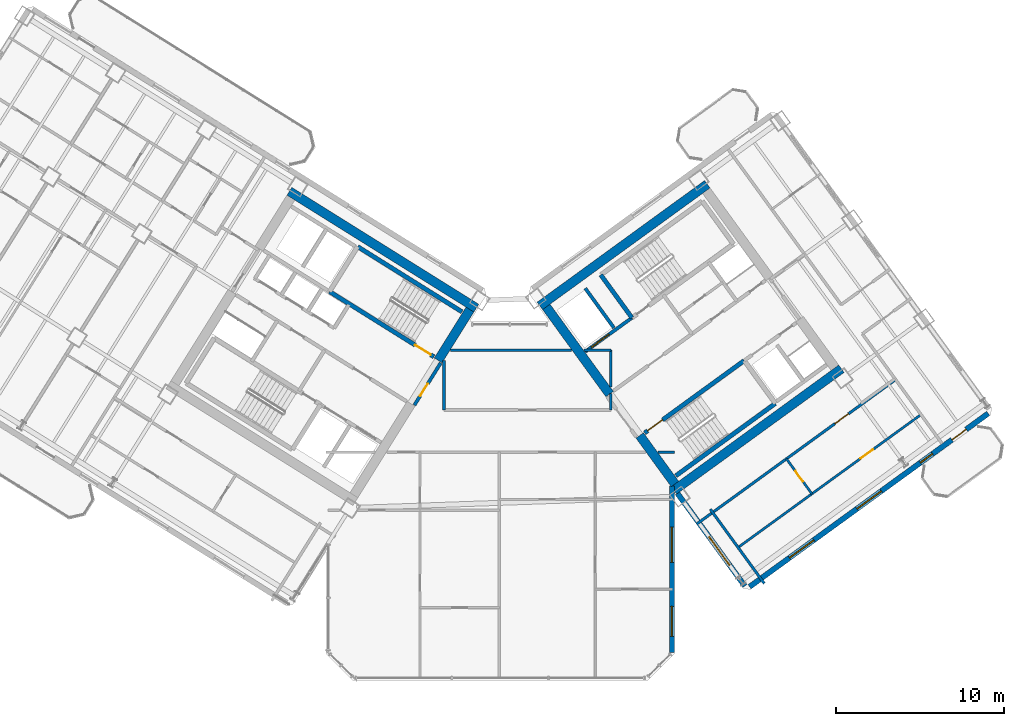
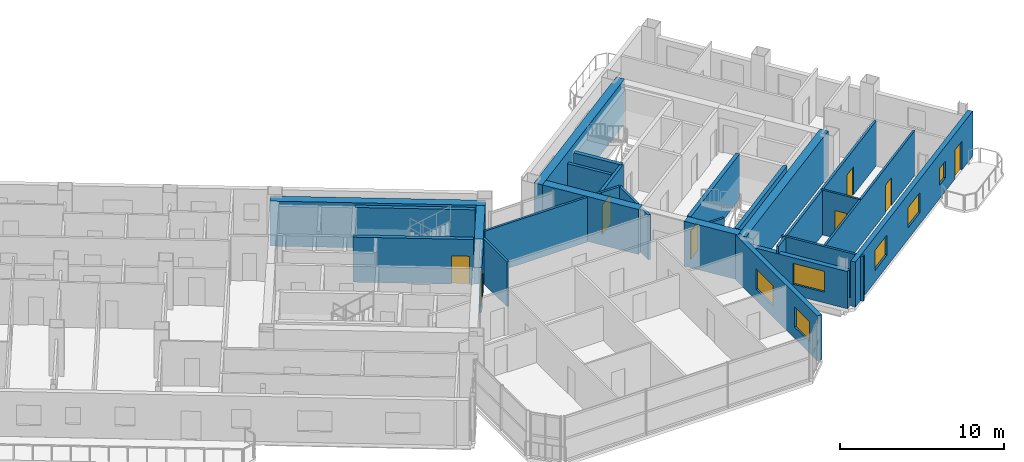
# One storey, part 19 of 25: 27 walls, 8 doors, 6 windows, 14 openings.
"""IFC4 building model written with IfcOpenShell, lengths in metres."""

from ifc_helpers import new_model, si_unit, direction, frame, frame_2d, origin, place, context, subcontext, project, spatial, rectangle, extrude, source, transform, mapped, material, layer, layer_set, type_object, element, fill, save


model = new_model("IFC4")

# Units and contexts
model_context = context("Model", 3, precision=1e-05, world=origin(), true_north=direction((0.0, 1.0)))
body_context = subcontext(model_context, "Body", "Model", "MODEL_VIEW")
ifc_project = project(units=[si_unit("LENGTHUNIT", "METRE"), si_unit("AREAUNIT", "SQUARE_METRE"), si_unit("VOLUMEUNIT", "CUBIC_METRE"), si_unit("PLANEANGLEUNIT", "RADIAN"), si_unit("MASSUNIT", "GRAM", prefix="KILO")], contexts=[model_context])

# Site, building, storey
site_placement = place(None, origin())
site = spatial("IfcSite", under=ifc_project, at=site_placement, CompositionType="ELEMENT")
building_placement = place(site_placement, origin())
building = spatial("IfcBuilding", under=site, at=building_placement, Name="Tlacorven Tower", CompositionType="ELEMENT")
storey_placement = place(building_placement, frame((0.0, 0.0, 162.300048828125)))
storey = spatial("IfcBuildingStorey", under=building, at=storey_placement, Name="L41", CompositionType="ELEMENT", Elevation=162.300048828125)

# Walls
ifc_material_1 = material(Name="Concrete C60/75", Category="concrete")
ifc_layer_1 = layer(ifc_material_1, 0.550048828125)
ifc_layer_set_1 = layer_set([ifc_layer_1], Name="Concrete C60/75")
wall_type_1 = type_object("IfcWallType", Name="WL-COR-550", PredefinedType="SHEAR", material=ifc_layer_set_1)
wall_1_placement = place(storey_placement, frame((40.572998046875, 24.010009765625, 0.0), z_axis=(0.0, 0.0, 1.0), x_axis=(-0.848047359947, 0.529920442413, 0.0)))
element("IfcWall", 1, at=wall_1_placement, inside=storey, type_object=wall_type_1, Name="L41 W core shear wall S1", PredefinedType="SHEAR", context=body_context, shape_type="SweptSolid", body=[
    extrude(rectangle(XDim=13.139892578125, YDim=0.550048828125, at=frame_2d((6.56982421875, 0.0))), origin(), (0.0, 0.0, 1.0), 3.349853515625),
])
wall_2_placement = place(storey_placement, frame((40.194091796875, 23.92236328125, 0.0), z_axis=(0.0, 0.0, 1.0), x_axis=(-0.529888438328, -0.848067357541, 0.0)))
element("IfcWall", 2, at=wall_2_placement, inside=storey, type_object=wall_type_1, Name="L41 W core end wall E1.1", PredefinedType="SHEAR", context=body_context, shape_type="SweptSolid", body=[
    extrude(rectangle(XDim=3.574951171875, YDim=0.550048828125, at=frame_2d((1.78759765625, 0.0))), origin(), (0.0, 0.0, 1.0), 3.349853515625),
])
for number, where, z_axis, x_axis, name in (
    (3, (52.35888671875, 13.1396484375, 0.0), (0.0, 0.0, 1.0), (0.809014896919, 0.587788139183, 0.0), "L41 E core shear wall S1"),
    (4, (44.364990234375, 24.142333984375, 0.0), (0.0, 0.0, 1.0), (0.809024304885, 0.587775190107, 0.0), "L41 E core shear wall S2"),
):
    element("IfcWall", number, at=place(storey_placement, frame(where, z_axis=z_axis, x_axis=x_axis)), inside=storey, type_object=wall_type_1, Name=name, PredefinedType="SHEAR", context=body_context, shape_type="SweptSolid", body=[
        extrude(rectangle(XDim=12.340087890625, YDim=0.550048828125, at=frame_2d((6.169921875, 0.0))), origin(), (0.0, 0.0, 1.0), 3.349853515625),
    ])
wall_3_placement = place(storey_placement, frame((52.419677734375, 13.52392578125, 0.0), z_axis=(0.0, 0.0, 1.0), x_axis=(-0.587802113096, 0.809004744015, 0.0)))
element("IfcWall", 5, at=wall_3_placement, inside=storey, type_object=wall_type_1, Name="L41 E core end wall E1.1", PredefinedType="SHEAR", context=body_context, shape_type="SweptSolid", body=[
    extrude(rectangle(XDim=3.574951171875, YDim=0.550048828125, at=frame_2d((1.78759765625, 0.0))), origin(), (0.0, 0.0, 1.0), 3.349853515625),
])
wall_4_placement = place(storey_placement, frame((48.525634765625, 18.883544921875, 0.0), z_axis=(0.0, 0.0, 1.0), x_axis=(-0.587764933797, 0.809031756236, 0.0)))
element("IfcWall", 6, at=wall_4_placement, inside=storey, type_object=wall_type_1, Name="L41 E core end wall E1.2", PredefinedType="SHEAR", context=body_context, shape_type="SweptSolid", body=[
    extrude(rectangle(XDim=6.425048828125, YDim=0.550048828125, at=frame_2d((3.21240234375, 0.0))), origin(), (0.0, 0.0, 1.0), 3.349853515625),
])
ifc_material_2 = material(Name="Gypsum plasterboard acoustic partition", Category="gypsum")
ifc_layer_2 = layer(ifc_material_2, 0.159912109375)
ifc_layer_set_2 = layer_set([ifc_layer_2], Name="Gypsum plasterboard acoustic partition")
wall_type_2 = type_object("IfcWallType", Name="WL-DEM-160", PredefinedType="PARTITIONING", material=ifc_layer_set_2)
wall_5_placement = place(storey_placement, frame((51.41552734375, 15.419921875, 0.0), z_axis=(0.0, 0.0, 1.0), x_axis=(1.0, 0.0, 0.0)))
element("IfcWall", 7, at=wall_5_placement, inside=storey, type_object=wall_type_2, Name="L41 Knuckle Corridor South Wall", PredefinedType="PARTITIONING", context=body_context, shape_type="SweptSolid", body=[
    extrude(rectangle(XDim=0.984375, YDim=0.159912109375, at=frame_2d((0.4921875, 0.0))), origin(), (0.0, 0.0, 1.0), 3.33984375),
])
wall_6_placement = place(storey_placement, frame((38.64990234375, 17.929931640625, 0.0), z_axis=(0.0, 0.0, 1.0), x_axis=(0.0, 1.0, 0.0)))
element("IfcWall", 8, at=wall_6_placement, inside=storey, type_object=wall_type_2, Name="L41 partition 75", PredefinedType="PARTITIONING", context=body_context, shape_type="SweptSolid", body=[
    extrude(rectangle(XDim=2.951416015625, YDim=0.159912109375, at=frame_2d((1.4755859375, 0.0))), origin(), (0.0, 0.0, 1.0), 3.33984375),
])
wall_7_placement = place(storey_placement, frame((48.60009765625, 17.929931640625, 0.0), z_axis=(0.0, 0.0, 1.0), x_axis=(0.0, 1.0, 0.0)))
element("IfcWall", 9, at=wall_7_placement, inside=storey, type_object=wall_type_2, Name="L41 partition 76", PredefinedType="PARTITIONING", context=body_context, shape_type="SweptSolid", body=[
    extrude(rectangle(XDim=0.99267578125, YDim=0.159912109375, at=frame_2d((0.496337890625, 0.0))), origin(), (0.0, 0.0, 1.0), 3.33984375),
])
wall_8_placement = place(storey_placement, frame((48.60009765625, 19.295166015625, 0.0), z_axis=(0.0, 0.0, 1.0), x_axis=(0.0, 1.0, 0.0)))
element("IfcWall", 10, at=wall_8_placement, inside=storey, type_object=wall_type_2, Name="L41 partition 76", PredefinedType="PARTITIONING", context=body_context, shape_type="SweptSolid", body=[
    extrude(rectangle(XDim=2.204833984375, YDim=0.159912109375, at=frame_2d((1.1025390625, 0.0))), origin(), (0.0, 0.0, 1.0), 3.33984375),
])
wall_9_placement = place(storey_placement, frame((39.03662109375, 21.5, 0.0), z_axis=(0.0, 0.0, 1.0), x_axis=(1.0, 0.0, 0.0)))
element("IfcWall", 11, at=wall_9_placement, inside=storey, type_object=wall_type_2, Name="L41 partition 77", PredefinedType="PARTITIONING", context=body_context, shape_type="SweptSolid", body=[
    extrude(rectangle(XDim=7.21484375, YDim=0.159912109375, at=frame_2d((3.607421875, 0.0))), origin(), (0.0, 0.0, 1.0), 3.33984375),
])
wall_10_placement = place(storey_placement, frame((46.998046875, 21.5, 0.0), z_axis=(0.0, 0.0, 1.0), x_axis=(1.0, 0.0, 0.0)))
element("IfcWall", 12, at=wall_10_placement, inside=storey, type_object=wall_type_2, Name="L41 partition 77", PredefinedType="PARTITIONING", context=body_context, shape_type="SweptSolid", body=[
    extrude(rectangle(XDim=1.60205078125, YDim=0.159912109375, at=frame_2d((0.801025390625, 0.0))), origin(), (0.0, 0.0, 1.0), 3.33984375),
])

# Wall, opening, door
wall_11_placement = place(storey_placement, frame((53.70458984375, 11.1259765625, 0.0), z_axis=(0.0, 0.0, 1.0), x_axis=(0.809014504436, 0.587788679384, 0.0)))
wall_11 = element("IfcWall", 13, at=wall_11_placement, inside=storey, type_object=wall_type_2, Name="L41 partition 97", PredefinedType="PARTITIONING", context=body_context, shape_type="SweptSolid", body=[
    extrude(rectangle(XDim=14.669921875, YDim=0.159912109375, at=frame_2d((7.3349609375, 0.0))), origin(), (0.0, 0.0, 1.0), 3.33984375),
])
opening_1_placement = place(wall_11_placement, frame((10.199951171875, 0.0, 0.0)))
opening_1 = element("IfcOpeningElement", 14, at=opening_1_placement, cuts=wall_11, Name="Opening D11", PredefinedType="OPENING", context=body_context, shape_type="SweptSolid", body=[
    extrude(rectangle(XDim=1.0, YDim=2.10009765625, at=frame_2d((0.5, 1.050048828125))), frame((0.0, 0.08984375, 0.0), z_axis=(0.0, -1.0, 0.0), x_axis=(1.0, 0.0, 0.0)), (0.0, 0.0, 1.0), 0.179931640625),
])
ifc_material_3 = material(Name="Fire-rated steel door assembly", Category="steel")
door_type_1 = type_object("IfcDoorType", Name="DR-FLT-FD60-1000", OperationType="NOTDEFINED", PredefinedType="DOOR", material=ifc_material_3)
shared_shape_1 = source(origin(), body_context, "Body", "SweptSolid", [
    extrude(rectangle(XDim=1.0, YDim=2.10009765625, at=frame_2d((0.5, 1.050048828125))), frame((0.0, 0.02490234375, 0.0), z_axis=(0.0, -1.0, 0.0), x_axis=(1.0, 0.0, 0.0)), (0.0, 0.0, 1.0), 0.050048828125),
])
door_1_placement = place(opening_1_placement, origin())
door_1 = element("IfcDoor", 15, at=door_1_placement, inside=storey, type_object=door_type_1, Name="L41 door 063", OperationType="SINGLE_SWING_LEFT", OverallHeight=2.10009765625, OverallWidth=1.0, PredefinedType="DOOR", context=body_context, shape_type="MappedRepresentation", body=[
    mapped(shared_shape_1, transform((0.0, 0.0, 0.0), scale=1.0)),
])
fill(opening_1, door_1)

# Wall
wall_12_placement = place(storey_placement, frame((57.747314453125, 7.586181640625, 0.0), z_axis=(0.0, 0.0, 1.0), x_axis=(-0.587784893399, 0.809017255126, 0.0)))
element("IfcWall", 16, at=wall_12_placement, inside=storey, type_object=wall_type_2, Name="L41 EC West Throat Wall", PredefinedType="PARTITIONING", context=body_context, shape_type="SweptSolid", body=[
    extrude(rectangle(XDim=5.480224609375, YDim=0.159912109375, at=frame_2d((2.740234375, 0.0))), origin(), (0.0, 0.0, 1.0), 3.33984375),
])

# Wall, openings, door, windows
ifc_material_4 = material(Name="Precast concrete C45/55", Category="concrete")
ifc_layer_3 = layer(ifc_material_4, 0.320068359375)
ifc_layer_set_3 = layer_set([ifc_layer_3], Name="Precast concrete C45/55")
wall_type_3 = type_object("IfcWallType", Name="WL-EXT-320", PredefinedType="STANDARD", material=ifc_layer_set_3)
wall_13_placement = place(storey_placement, frame((71.097900390625, 17.73095703125, 0.0), z_axis=(0.0, 0.0, 1.0), x_axis=(-0.809021120468, -0.587779573171, 0.0)))
wall_13 = element("IfcWall", 17, at=wall_13_placement, inside=storey, type_object=wall_type_3, Name="L41 Masonry-Frame Recessed Facade Wall 6", PredefinedType="STANDARD", context=body_context, shape_type="SweptSolid", body=[
    extrude(rectangle(XDim=17.587646484375, YDim=0.320068359375, at=frame_2d((8.7939453125, 0.0))), origin(), (0.0, 0.0, 1.0), 3.349853515625),
])
opening_2_placement = place(wall_13_placement, frame((1.623779296875, 0.0, 0.0)))
opening_2 = element("IfcOpeningElement", 18, at=opening_2_placement, cuts=wall_13, Name="Opening D06", PredefinedType="OPENING", context=body_context, shape_type="SweptSolid", body=[
    extrude(rectangle(XDim=1.050048828125, YDim=2.14990234375, at=frame_2d((0.52490234375, 1.074951171875))), frame((0.0, 0.169921875, 0.0), z_axis=(0.0, -1.0, 0.0), x_axis=(1.0, 0.0, 0.0)), (0.0, 0.0, 1.0), 0.340087890625),
])
opening_3_placement = place(wall_13_placement, frame((4.103759765625, 0.0, 1.0)))
opening_3 = element("IfcOpeningElement", 19, at=opening_3_placement, cuts=wall_13, Name="Opening WN05", PredefinedType="OPENING", context=body_context, shape_type="SweptSolid", body=[
    extrude(rectangle(XDim=0.89990234375, YDim=1.25, at=frame_2d((0.449951171875, 0.625))), frame((0.0, 0.169921875, 0.0), z_axis=(0.0, -1.0, 0.0), x_axis=(1.0, 0.0, 0.0)), (0.0, 0.0, 1.0), 0.340087890625),
])
opening_4_placement = place(wall_13_placement, frame((7.878662109375, 0.0, 0.85009765625)))
opening_4 = element("IfcOpeningElement", 20, at=opening_4_placement, cuts=wall_13, Name="Opening WN01", PredefinedType="OPENING", context=body_context, shape_type="SweptSolid", body=[
    extrude(rectangle(XDim=1.800048828125, YDim=1.5, at=frame_2d((0.89990234375, 0.75))), frame((0.0, 0.169921875, 0.0), z_axis=(0.0, -1.0, 0.0), x_axis=(1.0, 0.0, 0.0)), (0.0, 0.0, 1.0), 0.340087890625),
])
opening_5_placement = place(wall_13_placement, frame((12.8486328125, 0.0, 0.85009765625)))
opening_5 = element("IfcOpeningElement", 21, at=opening_5_placement, cuts=wall_13, Name="Opening WN01", PredefinedType="OPENING", context=body_context, shape_type="SweptSolid", body=[
    extrude(rectangle(XDim=1.800048828125, YDim=1.5, at=frame_2d((0.89990234375, 0.75))), frame((0.0, 0.169921875, 0.0), z_axis=(0.0, -1.0, 0.0), x_axis=(1.0, 0.0, 0.0)), (0.0, 0.0, 1.0), 0.340087890625),
])
ifc_material_5 = material(Name="Powder-coated aluminium and timber door", Category="wood")
door_type_2 = type_object("IfcDoorType", Name="DR-EXT-BALC-1050", OperationType="NOTDEFINED", PredefinedType="DOOR", material=ifc_material_5)
shared_shape_2 = source(origin(), body_context, "Body", "SweptSolid", [
    extrude(rectangle(XDim=1.050048828125, YDim=2.14990234375, at=frame_2d((0.52490234375, 1.074951171875))), frame((0.0, 0.02490234375, 0.0), z_axis=(0.0, -1.0, 0.0), x_axis=(1.0, 0.0, 0.0)), (0.0, 0.0, 1.0), 0.050048828125),
])
door_2_placement = place(opening_2_placement, origin())
door_2 = element("IfcDoor", 22, at=door_2_placement, inside=storey, type_object=door_type_2, Name="L41 Outdoor Access Door BAL-L41-E-OUT", OperationType="SINGLE_SWING_LEFT", OverallHeight=2.14990234375, OverallWidth=1.050048828125, PredefinedType="DOOR", context=body_context, shape_type="MappedRepresentation", body=[
    mapped(shared_shape_2, transform((0.0, 0.0, 0.0), scale=1.0)),
])
fill(opening_2, door_2)
ifc_material_6 = material(Name="Dark solar low-E double glazing in anodised aluminium frame", Category="aluminium")
window_type_1 = type_object("IfcWindowType", Name="WN-APT-1800X1650", PartitioningType="SINGLE_PANEL", PredefinedType="WINDOW", material=ifc_material_6)
shared_shape_3 = source(origin(), body_context, "Body", "SweptSolid", [
    extrude(rectangle(XDim=1.800048828125, YDim=1.5, at=frame_2d((0.89990234375, 0.75))), frame((0.0, 0.030029296875, 0.0), z_axis=(0.0, -1.0, 0.0), x_axis=(1.0, 0.0, 0.0)), (0.0, 0.0, 1.0), 0.06005859375),
])
window_1_placement = place(opening_4_placement, origin())
window_1 = element("IfcWindow", 23, at=window_1_placement, inside=storey, type_object=window_type_1, Name="L41 Recessed Masonry-Frame Window L41-06.2", OverallHeight=1.5, OverallWidth=1.800048828125, PartitioningType="SINGLE_PANEL", PredefinedType="WINDOW", context=body_context, shape_type="MappedRepresentation", body=[
    mapped(shared_shape_3, transform((0.0, 0.0, 0.0), scale=1.0)),
])
fill(opening_4, window_1)
window_2_placement = place(opening_5_placement, origin())
window_2 = element("IfcWindow", 24, at=window_2_placement, inside=storey, type_object=window_type_1, Name="L41 Recessed Masonry-Frame Window L41-06.3", OverallHeight=1.5, OverallWidth=1.800048828125, PartitioningType="SINGLE_PANEL", PredefinedType="WINDOW", context=body_context, shape_type="MappedRepresentation", body=[
    mapped(shared_shape_3, transform((0.0, 0.0, 0.0), scale=1.0)),
])
fill(opening_5, window_2)
window_type_2 = type_object("IfcWindowType", Name="WN-APT-0900X1350", PartitioningType="SINGLE_PANEL", PredefinedType="WINDOW", material=ifc_material_6)
shared_shape_4 = source(origin(), body_context, "Body", "SweptSolid", [
    extrude(rectangle(XDim=0.89990234375, YDim=1.25, at=frame_2d((0.449951171875, 0.625))), frame((0.0, 0.030029296875, 0.0), z_axis=(0.0, -1.0, 0.0), x_axis=(1.0, 0.0, 0.0)), (0.0, 0.0, 1.0), 0.06005859375),
])
window_3_placement = place(opening_3_placement, origin())
window_3 = element("IfcWindow", 25, at=window_3_placement, inside=storey, type_object=window_type_2, Name="L41 Recessed Masonry-Frame Window L41-06.1", OverallHeight=1.25, OverallWidth=0.89990234375, PartitioningType="SINGLE_PANEL", PredefinedType="WINDOW", context=body_context, shape_type="MappedRepresentation", body=[
    mapped(shared_shape_4, transform((0.0, 0.0, 0.0), scale=1.0)),
])
fill(opening_3, window_3)

# Wall, opening, window
wall_14_placement = place(storey_placement, frame((56.5810546875, 7.43896484375, 0.0), z_axis=(0.0, 0.0, 1.0), x_axis=(-0.587771678454, 0.809026856172, 0.0)))
wall_14 = element("IfcWall", 26, at=wall_14_placement, inside=storey, type_object=wall_type_3, Name="L41 Masonry-Frame Recessed Facade Wall 7", PredefinedType="STANDARD", context=body_context, shape_type="SweptSolid", body=[
    extrude(rectangle(XDim=6.82373046875, YDim=0.320068359375, at=frame_2d((3.411865234375, 0.0))), origin(), (0.0, 0.0, 1.0), 2.77490234375),
])
opening_6_placement = place(wall_14_placement, frame((1.53125, 0.0, 0.800048828125)))
opening_6 = element("IfcOpeningElement", 27, at=opening_6_placement, cuts=wall_14, Name="Opening WN04", PredefinedType="OPENING", context=body_context, shape_type="SweptSolid", body=[
    extrude(rectangle(XDim=2.10009765625, YDim=1.550048828125, at=frame_2d((1.050048828125, 0.77490234375))), frame((0.0, 0.169921875, 0.0), z_axis=(0.0, -1.0, 0.0), x_axis=(1.0, 0.0, 0.0)), (0.0, 0.0, 1.0), 0.340087890625),
])
window_type_3 = type_object("IfcWindowType", Name="WN-APT-2100X1750", PartitioningType="SINGLE_PANEL", PredefinedType="WINDOW", material=ifc_material_6)
shared_shape_5 = source(origin(), body_context, "Body", "SweptSolid", [
    extrude(rectangle(XDim=2.10009765625, YDim=1.550048828125, at=frame_2d((1.050048828125, 0.77490234375))), frame((0.0, 0.030029296875, 0.0), z_axis=(0.0, -1.0, 0.0), x_axis=(1.0, 0.0, 0.0)), (0.0, 0.0, 1.0), 0.06005859375),
])
window_4_placement = place(opening_6_placement, origin())
window_4 = element("IfcWindow", 28, at=window_4_placement, inside=storey, type_object=window_type_3, Name="L41 Recessed Masonry-Frame Window L41-07.1", OverallHeight=1.550048828125, OverallWidth=2.10009765625, PartitioningType="SINGLE_PANEL", PredefinedType="WINDOW", context=body_context, shape_type="MappedRepresentation", body=[
    mapped(shared_shape_5, transform((0.0, 0.0, 0.0), scale=1.0)),
])
fill(opening_6, window_4)

# Wall, openings, windows
wall_15_placement = place(storey_placement, frame((52.239990234375, 13.4140625, 0.0), z_axis=(0.0, 0.0, 1.0), x_axis=(0.0, -1.0, 0.0)))
wall_15 = element("IfcWall", 29, at=wall_15_placement, inside=storey, type_object=wall_type_3, Name="L41 Masonry-Frame Recessed Facade Wall 8", PredefinedType="STANDARD", context=body_context, shape_type="SweptSolid", body=[
    extrude(rectangle(XDim=9.94775390625, YDim=0.320068359375, at=frame_2d((4.973876953125, 0.0))), origin(), (0.0, 0.0, 1.0), 3.349853515625),
])
opening_7_placement = place(wall_15_placement, frame((2.4599609375, 0.0, 0.800048828125)))
opening_7 = element("IfcOpeningElement", 30, at=opening_7_placement, cuts=wall_15, Name="Opening WN04", PredefinedType="OPENING", context=body_context, shape_type="SweptSolid", body=[
    extrude(rectangle(XDim=2.10009765625, YDim=1.550048828125, at=frame_2d((1.050048828125, 0.77490234375))), frame((0.0, 0.169921875, 0.0), z_axis=(0.0, -1.0, 0.0), x_axis=(1.0, 0.0, 0.0)), (0.0, 0.0, 1.0), 0.340087890625),
])
opening_8_placement = place(wall_15_placement, frame((7.183349609375, 0.0, 0.85009765625)))
opening_8 = element("IfcOpeningElement", 31, at=opening_8_placement, cuts=wall_15, Name="Opening WN01", PredefinedType="OPENING", context=body_context, shape_type="SweptSolid", body=[
    extrude(rectangle(XDim=1.800048828125, YDim=1.5, at=frame_2d((0.89990234375, 0.75))), frame((0.0, 0.169921875, 0.0), z_axis=(0.0, -1.0, 0.0), x_axis=(1.0, 0.0, 0.0)), (0.0, 0.0, 1.0), 0.340087890625),
])
window_5_placement = place(opening_7_placement, origin())
window_5 = element("IfcWindow", 32, at=window_5_placement, inside=storey, type_object=window_type_3, Name="L41 Recessed Masonry-Frame Window L41-08.1", OverallHeight=1.550048828125, OverallWidth=2.10009765625, PartitioningType="SINGLE_PANEL", PredefinedType="WINDOW", context=body_context, shape_type="MappedRepresentation", body=[
    mapped(shared_shape_5, transform((0.0, 0.0, 0.0), scale=1.0)),
])
fill(opening_7, window_5)
window_6_placement = place(opening_8_placement, origin())
window_6 = element("IfcWindow", 33, at=window_6_placement, inside=storey, type_object=window_type_1, Name="L41 Recessed Masonry-Frame Window L41-08.2", OverallHeight=1.5, OverallWidth=1.800048828125, PartitioningType="SINGLE_PANEL", PredefinedType="WINDOW", context=body_context, shape_type="MappedRepresentation", body=[
    mapped(shared_shape_3, transform((0.0, 0.0, 0.0), scale=1.0)),
])
fill(opening_8, window_6)

# Wall, opening, door
ifc_material_7 = material(Name="Moisture-resistant gypsum plumbing wall", Category="gypsum")
ifc_layer_4 = layer(ifc_material_7, 0.139892578125)
ifc_layer_set_4 = layer_set([ifc_layer_4], Name="Moisture-resistant gypsum plumbing wall")
wall_type_4 = type_object("IfcWallType", Name="WL-PLM-140", PredefinedType="PLUMBINGWALL", material=ifc_layer_set_4)
wall_16_placement = place(storey_placement, frame((56.24853515625, 9.78515625, 0.0), z_axis=(0.0, 0.0, 1.0), x_axis=(0.809011747655, 0.587792473715, 0.0)))
wall_16 = element("IfcWall", 34, at=wall_16_placement, inside=storey, type_object=wall_type_4, Name="L41 partition 99", PredefinedType="PLUMBINGWALL", context=body_context, shape_type="SweptSolid", body=[
    extrude(rectangle(XDim=13.400146484375, YDim=0.139892578125, at=frame_2d((6.7001953125, 0.0))), origin(), (0.0, 0.0, 1.0), 3.33984375),
])
opening_9_placement = place(wall_16_placement, frame((8.93994140625, 0.0, 0.0)))
opening_9 = element("IfcOpeningElement", 35, at=opening_9_placement, cuts=wall_16, Name="Opening D12", PredefinedType="OPENING", context=body_context, shape_type="SweptSolid", body=[
    extrude(rectangle(XDim=0.919921875, YDim=2.080078125, at=frame_2d((0.4599609375, 1.0400390625))), frame((0.0, 0.080078125, 0.0), z_axis=(0.0, -1.0, 0.0), x_axis=(1.0, 0.0, 0.0)), (0.0, 0.0, 1.0), 0.159912109375),
])
door_type_3 = type_object("IfcDoorType", Name="DR-INT-ROOM-0920", OperationType="NOTDEFINED", PredefinedType="DOOR", material=ifc_material_5)
shared_shape_6 = source(origin(), body_context, "Body", "SweptSolid", [
    extrude(rectangle(XDim=0.919921875, YDim=2.080078125, at=frame_2d((0.4599609375, 1.0400390625))), frame((0.0, 0.02490234375, 0.0), z_axis=(0.0, -1.0, 0.0), x_axis=(1.0, 0.0, 0.0)), (0.0, 0.0, 1.0), 0.050048828125),
])
door_3_placement = place(opening_9_placement, origin())
door_3 = element("IfcDoor", 36, at=door_3_placement, inside=storey, type_object=door_type_3, Name="L41 door 064", OperationType="SINGLE_SWING_RIGHT", OverallHeight=2.080078125, OverallWidth=0.919921875, PredefinedType="DOOR", context=body_context, shape_type="MappedRepresentation", body=[
    mapped(shared_shape_6, transform((0.0, 0.0, 0.0), scale=1.0)),
])
fill(opening_9, door_3)

wall_17_placement = place(storey_placement, frame((60.584716796875, 12.935791015625, 0.0), z_axis=(0.0, 0.0, 1.0), x_axis=(-0.587772116736, 0.809026537752, 0.0)))
wall_17 = element("IfcWall", 37, at=wall_17_placement, inside=storey, type_object=wall_type_4, Name="L41 partition 100", PredefinedType="PLUMBINGWALL", context=body_context, shape_type="SweptSolid", body=[
    extrude(rectangle(XDim=2.579833984375, YDim=0.139892578125, at=frame_2d((1.2900390625, 0.0))), origin(), (0.0, 0.0, 1.0), 3.33984375),
])
opening_10_placement = place(wall_17_placement, frame((0.89990234375, 0.0, 0.0)))
opening_10 = element("IfcOpeningElement", 38, at=opening_10_placement, cuts=wall_17, Name="Opening D22", PredefinedType="OPENING", context=body_context, shape_type="SweptSolid", body=[
    extrude(rectangle(XDim=0.780029296875, YDim=2.050048828125, at=frame_2d((0.39013671875, 1.02490234375))), frame((0.0, 0.080078125, 0.0), z_axis=(0.0, -1.0, 0.0), x_axis=(1.0, 0.0, 0.0)), (0.0, 0.0, 1.0), 0.159912109375),
])
door_type_4 = type_object("IfcDoorType", Name="DR-INT-WET-0780", OperationType="NOTDEFINED", PredefinedType="DOOR", material=ifc_material_5)
shared_shape_7 = source(origin(), body_context, "Body", "SweptSolid", [
    extrude(rectangle(XDim=0.780029296875, YDim=2.050048828125, at=frame_2d((0.39013671875, 1.02490234375))), frame((0.0, 0.02490234375, 0.0), z_axis=(0.0, -1.0, 0.0), x_axis=(1.0, 0.0, 0.0)), (0.0, 0.0, 1.0), 0.050048828125),
])
door_4_placement = place(opening_10_placement, origin())
door_4 = element("IfcDoor", 39, at=door_4_placement, inside=storey, type_object=door_type_4, Name="L41 door 065", OperationType="SINGLE_SWING_LEFT", OverallHeight=2.050048828125, OverallWidth=0.780029296875, PredefinedType="DOOR", context=body_context, shape_type="MappedRepresentation", body=[
    mapped(shared_shape_7, transform((0.0, 0.0, 0.0), scale=1.0)),
])
fill(opening_10, door_4)

ifc_material_8 = material(Name="Concrete C40/50", Category="concrete")
ifc_layer_5 = layer(ifc_material_8, 0.199951171875)
ifc_layer_set_5 = layer_set([ifc_layer_5], Name="Concrete C40/50")
wall_type_5 = type_object("IfcWallType", Name="WL-SHF-200", PredefinedType="STANDARD", material=ifc_layer_set_5)
wall_18_placement = place(storey_placement, frame((47.0654296875, 21.4072265625, 0.0), z_axis=(0.0, 0.0, 1.0), x_axis=(0.809032984992, 0.587763242466, 0.0)))
wall_18 = element("IfcWall", 40, at=wall_18_placement, inside=storey, type_object=wall_type_5, Name="L41 Core E Firefighting Lift Shaft Front Wall", PredefinedType="STANDARD", context=body_context, shape_type="SweptSolid", body=[
    extrude(rectangle(XDim=3.447998046875, YDim=0.199951171875, at=frame_2d((1.72412109375, 0.0))), origin(), (0.0, 0.0, 1.0), 3.33984375),
])
opening_11_placement = place(wall_18_placement, frame((0.4580078125, 0.0, 0.0)))
opening_11 = element("IfcOpeningElement", 41, at=opening_11_placement, cuts=wall_18, Name="Opening LD03", PredefinedType="OPENING", context=body_context, shape_type="SweptSolid", body=[
    extrude(rectangle(XDim=1.300048828125, YDim=2.199951171875, at=frame_2d((0.64990234375, 1.10009765625))), frame((0.0, 0.10986328125, 0.0), z_axis=(0.0, -1.0, 0.0), x_axis=(1.0, 0.0, 0.0)), (0.0, 0.0, 1.0), 0.219970703125),
])
door_type_5 = type_object("IfcDoorType", Name="DR-LFT-SLID-1300", OperationType="DOUBLE_DOOR_SLIDING", PredefinedType="DOOR", material=ifc_material_3)
shared_shape_8 = source(origin(), body_context, "Body", "SweptSolid", [
    extrude(rectangle(XDim=1.300048828125, YDim=2.199951171875, at=frame_2d((0.64990234375, 1.10009765625))), frame((0.0, 0.02490234375, 0.0), z_axis=(0.0, -1.0, 0.0), x_axis=(1.0, 0.0, 0.0)), (0.0, 0.0, 1.0), 0.050048828125),
])
door_5_placement = place(opening_11_placement, origin())
door_5 = element("IfcDoor", 42, at=door_5_placement, inside=storey, type_object=door_type_5, Name="L41 Lift FFL-E1 Sliding Landing Door", OperationType="DOUBLE_DOOR_SLIDING", OverallHeight=2.199951171875, OverallWidth=1.300048828125, PredefinedType="DOOR", context=body_context, shape_type="MappedRepresentation", body=[
    mapped(shared_shape_8, transform((0.0, 0.0, 0.0), scale=1.0)),
])
fill(opening_11, door_5)

# Wall
wall_19_placement = place(storey_placement, frame((48.78564453125, 22.830078125, 0.0), z_axis=(0.0, 0.0, 1.0), x_axis=(-0.587783856777, 0.809018008275, 0.0)))
element("IfcWall", 43, at=wall_19_placement, inside=storey, type_object=wall_type_5, Name="L41 partition 33", PredefinedType="STANDARD", context=body_context, shape_type="SweptSolid", body=[
    extrude(rectangle(XDim=2.919921875, YDim=0.199951171875, at=frame_2d((1.4599609375, 0.0))), origin(), (0.0, 0.0, 1.0), 3.33984375),
])

# Wall, opening, door
wall_20_placement = place(storey_placement, frame((38.451416015625, 20.737060546875, 0.0), z_axis=(0.0, 0.0, 1.0), x_axis=(-0.529924799939, -0.848044637038, 0.0)))
wall_20 = element("IfcWall", 44, at=wall_20_placement, inside=storey, type_object=wall_type_5, Name="L41 partition 72", PredefinedType="STANDARD", context=body_context, shape_type="SweptSolid", body=[
    extrude(rectangle(XDim=2.9599609375, YDim=0.199951171875, at=frame_2d((1.47998046875, 0.0))), origin(), (0.0, 0.0, 1.0), 3.33984375),
])
opening_12_placement = place(wall_20_placement, frame((1.4599609375, 0.0, 0.0)))
opening_12 = element("IfcOpeningElement", 45, at=opening_12_placement, cuts=wall_20, Name="Opening D19", PredefinedType="OPENING", context=body_context, shape_type="SweptSolid", body=[
    extrude(rectangle(XDim=0.860107421875, YDim=2.050048828125, at=frame_2d((0.43017578125, 1.02490234375))), frame((0.0, 0.10986328125, 0.0), z_axis=(0.0, -1.0, 0.0), x_axis=(1.0, 0.0, 0.0)), (0.0, 0.0, 1.0), 0.219970703125),
])
door_type_6 = type_object("IfcDoorType", Name="DR-RSR-FD60-0860", OperationType="NOTDEFINED", PredefinedType="DOOR", material=ifc_material_3)
shared_shape_9 = source(origin(), body_context, "Body", "SweptSolid", [
    extrude(rectangle(XDim=0.860107421875, YDim=2.050048828125, at=frame_2d((0.43017578125, 1.02490234375))), frame((0.0, 0.02490234375, 0.0), z_axis=(0.0, -1.0, 0.0), x_axis=(1.0, 0.0, 0.0)), (0.0, 0.0, 1.0), 0.050048828125),
])
door_6_placement = place(opening_12_placement, frame((0.860107421875, 0.0, 0.0), z_axis=(0.0, 0.0, 1.0), x_axis=(-1.0, 0.0, 0.0)))
door_6 = element("IfcDoor", 46, at=door_6_placement, inside=storey, type_object=door_type_6, Name="L41 door 046", OperationType="SINGLE_SWING_LEFT", OverallHeight=2.050048828125, OverallWidth=0.860107421875, PredefinedType="DOOR", context=body_context, shape_type="MappedRepresentation", body=[
    mapped(shared_shape_9, transform((0.0, 0.0, 0.0), scale=1.0)),
])
fill(opening_12, door_6)

# Wall
ifc_material_9 = material(Name="Concrete C50/60", Category="concrete")
ifc_layer_6 = layer(ifc_material_9, 0.260009765625)
ifc_layer_set_6 = layer_set([ifc_layer_6], Name="Concrete C50/60")
wall_type_6 = type_object("IfcWallType", Name="WL-STW-260", PredefinedType="SHEAR", material=ifc_layer_set_6)
wall_21_placement = place(storey_placement, frame((39.720947265625, 23.787841796875, 0.0), z_axis=(0.0, 0.0, 1.0), x_axis=(-0.848054434086, 0.529909121291, 0.0)))
element("IfcWall", 47, at=wall_21_placement, inside=storey, type_object=wall_type_6, Name="L41 Stair W2 Far Shear Wall", PredefinedType="SHEAR", context=body_context, shape_type="SweptSolid", body=[
    extrude(rectangle(XDim=7.330078125, YDim=0.260009765625, at=frame_2d((3.6650390625, 0.0))), origin(), (0.0, 0.0, 1.0), 3.349853515625),
])

# Wall, opening, door
wall_22_placement = place(storey_placement, frame((38.04638671875, 21.10791015625, 0.0), z_axis=(0.0, 0.0, 1.0), x_axis=(-0.848054434086, 0.529909121291, 0.0)))
wall_22 = element("IfcWall", 48, at=wall_22_placement, inside=storey, type_object=wall_type_6, Name="L41 Stair W2 Lobby Shear Wall", PredefinedType="SHEAR", context=body_context, shape_type="SweptSolid", body=[
    extrude(rectangle(XDim=7.330078125, YDim=0.260009765625, at=frame_2d((3.6650390625, 0.0))), origin(), (0.0, 0.0, 1.0), 3.349853515625),
])
opening_13_placement = place(wall_22_placement, frame((0.219970703125, 0.0, 0.0)))
opening_13 = element("IfcOpeningElement", 49, at=opening_13_placement, cuts=wall_22, Name="Opening D07", PredefinedType="OPENING", context=body_context, shape_type="SweptSolid", body=[
    extrude(rectangle(XDim=1.10009765625, YDim=2.10009765625, at=frame_2d((0.550048828125, 1.050048828125))), frame((0.0, 0.14013671875, 0.0), z_axis=(0.0, -1.0, 0.0), x_axis=(1.0, 0.0, 0.0)), (0.0, 0.0, 1.0), 0.280029296875),
])
door_type_7 = type_object("IfcDoorType", Name="DR-STR-FD90-1100", OperationType="NOTDEFINED", PredefinedType="DOOR", material=ifc_material_3)
shared_shape_10 = source(origin(), body_context, "Body", "SweptSolid", [
    extrude(rectangle(XDim=1.10009765625, YDim=2.10009765625, at=frame_2d((0.550048828125, 1.050048828125))), frame((0.0, 0.02490234375, 0.0), z_axis=(0.0, -1.0, 0.0), x_axis=(1.0, 0.0, 0.0)), (0.0, 0.0, 1.0), 0.050048828125),
])
door_7_placement = place(opening_13_placement, origin())
door_7 = element("IfcDoor", 50, at=door_7_placement, inside=storey, type_object=door_type_7, Name="L41 Exit Stair W2 Fire Door", OperationType="SINGLE_SWING_RIGHT", OverallHeight=2.10009765625, OverallWidth=1.10009765625, PredefinedType="DOOR", context=body_context, shape_type="MappedRepresentation", body=[
    mapped(shared_shape_10, transform((0.0, 0.0, 0.0), scale=1.0)),
])
fill(opening_13, door_7)

# Walls
wall_23_placement = place(storey_placement, frame((49.85498046875, 23.433837890625, 0.0), z_axis=(0.0, 0.0, 1.0), x_axis=(-0.58776738483, 0.809029975545, 0.0)))
element("IfcWall", 51, at=wall_23_placement, inside=storey, type_object=wall_type_6, Name="L41 Stair E1 West Shear Wall", PredefinedType="SHEAR", context=body_context, shape_type="SweptSolid", body=[
    extrude(rectangle(XDim=3.16015625, YDim=0.260009765625, at=frame_2d((1.580078125, 0.0))), origin(), (0.0, 0.0, 1.0), 3.349853515625),
])
wall_24_placement = place(storey_placement, frame((52.47216796875, 14.01318359375, 0.0), z_axis=(0.0, 0.0, 1.0), x_axis=(0.809028366311, 0.587769599847, 0.0)))
element("IfcWall", 52, at=wall_24_placement, inside=storey, type_object=wall_type_6, Name="L41 Stair E2 Far Shear Wall", PredefinedType="SHEAR", context=body_context, shape_type="SweptSolid", body=[
    extrude(rectangle(XDim=7.330078125, YDim=0.260009765625, at=frame_2d((3.6650390625, 0.0))), origin(), (0.0, 0.0, 1.0), 3.349853515625),
])

# Wall, opening, door
wall_25_placement = place(storey_placement, frame((50.61474609375, 16.569580078125, 0.0), z_axis=(0.0, 0.0, 1.0), x_axis=(0.809028366311, 0.587769599847, 0.0)))
wall_25 = element("IfcWall", 53, at=wall_25_placement, inside=storey, type_object=wall_type_6, Name="L41 Stair E2 Lobby Shear Wall", PredefinedType="SHEAR", context=body_context, shape_type="SweptSolid", body=[
    extrude(rectangle(XDim=7.330078125, YDim=0.260009765625, at=frame_2d((3.6650390625, 0.0))), origin(), (0.0, 0.0, 1.0), 3.349853515625),
])
opening_14_placement = place(wall_25_placement, frame((0.219970703125, 0.0, 0.0)))
opening_14 = element("IfcOpeningElement", 54, at=opening_14_placement, cuts=wall_25, Name="Opening D07", PredefinedType="OPENING", context=body_context, shape_type="SweptSolid", body=[
    extrude(rectangle(XDim=1.10009765625, YDim=2.10009765625, at=frame_2d((0.550048828125, 1.050048828125))), frame((0.0, 0.14013671875, 0.0), z_axis=(0.0, -1.0, 0.0), x_axis=(1.0, 0.0, 0.0)), (0.0, 0.0, 1.0), 0.280029296875),
])
door_8_placement = place(opening_14_placement, origin())
door_8 = element("IfcDoor", 55, at=door_8_placement, inside=storey, type_object=door_type_7, Name="L41 Exit Stair E2 Fire Door", OperationType="SINGLE_SWING_LEFT", OverallHeight=2.10009765625, OverallWidth=1.10009765625, PredefinedType="DOOR", context=body_context, shape_type="MappedRepresentation", body=[
    mapped(shared_shape_10, transform((0.0, 0.0, 0.0), scale=1.0)),
])
fill(opening_14, door_8)

save(model, "model.ifc")
